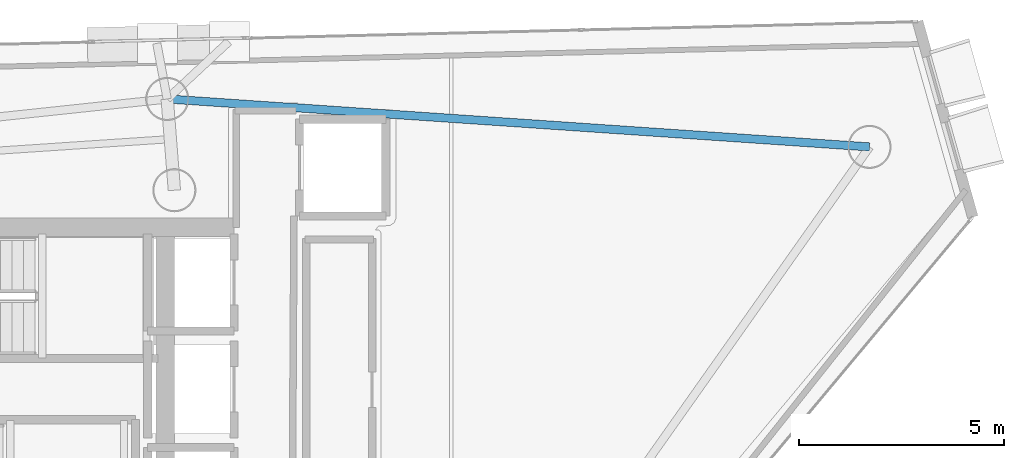
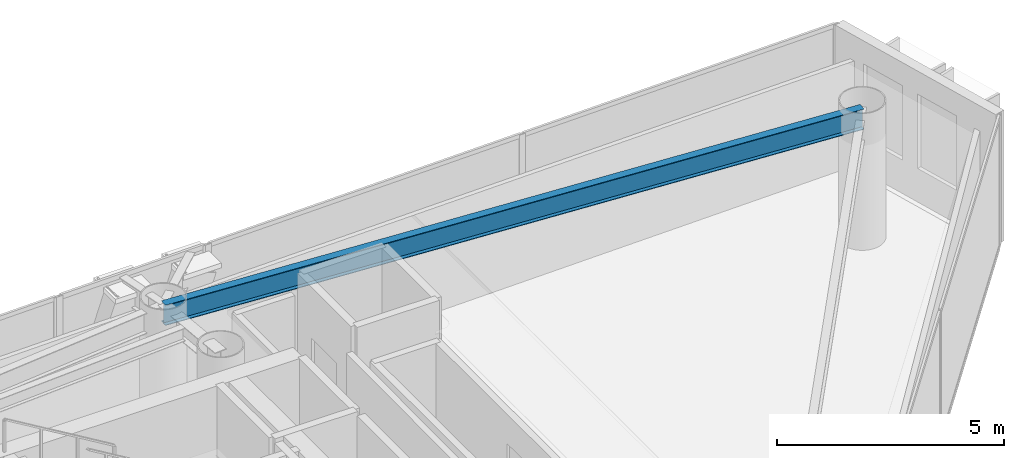
# One storey, part 12 of 20: 1 beam.
"""IFC4 building model written with IfcOpenShell, lengths in metres."""

import ifcopenshell
import ifcopenshell.guid

model = None  # the IFC model being written
_history = None  # IfcOwnerHistory: only IFC2X3 demands one
_inside = {}  # id of a spatial element -> (the spatial element, [elements in it])
_under = {}  # id of a project, library or spatial element -> (it, [spatial elements below it])
_declared = {}  # id of a project -> (the project, [libraries it declares])
_typed = {}  # id of a type object -> (the type object, [elements of that type])
_made_of = {}  # id of a material, layer set ... -> (it, [elements and type objects made of it])


def new_model(schema):
    """Start an empty IFC model of exactly this schema.

    Asked for "IFC4X3", IfcOpenShell would pick the latest addendum, in which some entities
    have other attributes; the version numbers below select the first issue.
    IFC2X3 requires an IfcOwnerHistory on every rooted entity: one is made here for all.
    """
    global model, _history
    if schema == "IFC4X3":
        model = ifcopenshell.file(schema_version=(4, 3, 0, 0))
    else:
        model = ifcopenshell.file(schema=schema)
    _inside.clear()
    _under.clear()
    _declared.clear()
    _typed.clear()
    _made_of.clear()
    _history = None
    if model.schema == "IFC2X3":
        org = make("IfcOrganization", Name="unknown")
        user = make(
            "IfcPersonAndOrganization",
            ThePerson=make("IfcPerson", FamilyName="unknown"),
            TheOrganization=org,
        )
        app = make(
            "IfcApplication",
            ApplicationDeveloper=org,
            Version="unknown",
            ApplicationFullName="unknown",
            ApplicationIdentifier="unknown",
        )
        _history = make(
            "IfcOwnerHistory",
            OwningUser=user,
            OwningApplication=app,
            ChangeAction="ADDED",
            CreationDate=0,
        )
    return model


def make(cls, **values):
    """One entity of the class cls with the attributes given. An attribute that is None is left unset."""
    return model.create_entity(
        cls, **{name: value for name, value in values.items() if value is not None}
    )


def rooted(cls, **values):
    """An entity with a GlobalId (a new one), such as an element, a storey or a relation."""
    return make(cls, GlobalId=ifcopenshell.guid.new(), OwnerHistory=_history, **values)


def si_unit(unit_type, name, prefix=None):
    """IfcSIUnit, for example si_unit("LENGTHUNIT", "METRE", prefix="MILLI")."""
    return make("IfcSIUnit", UnitType=unit_type, Prefix=prefix, Name=name)


def assignment(units):
    """IfcUnitAssignment: the units of a project."""
    return None if units is None else make("IfcUnitAssignment", Units=units)


def point(xyz):
    """IfcCartesianPoint."""
    return None if xyz is None else make("IfcCartesianPoint", Coordinates=xyz)


def direction(xyz):
    """IfcDirection."""
    return None if xyz is None else make("IfcDirection", DirectionRatios=xyz)


def frame(location, z_axis=None, x_axis=None):
    """IfcAxis2Placement3D, a coordinate frame: its origin and axes. An axis left out is left unset."""
    return make(
        "IfcAxis2Placement3D",
        Location=point(location),
        Axis=direction(z_axis),
        RefDirection=direction(x_axis),
    )


def frame_2d(location, x_axis=None):
    """IfcAxis2Placement2D, a coordinate frame in the plane: its origin and x axis."""
    return make(
        "IfcAxis2Placement2D", Location=point(location), RefDirection=direction(x_axis)
    )


def origin():
    """The frame at (0, 0, 0) with its axes left unset."""
    return frame((0.0, 0.0, 0.0))


def origin_2d():
    """The frame at (0, 0) in the plane with its x axis left unset."""
    return frame_2d((0.0, 0.0))


def place(relative_to, where):
    """IfcLocalPlacement: puts the frame where relative to a parent placement (None: the world)."""
    return make(
        "IfcLocalPlacement", PlacementRelTo=relative_to, RelativePlacement=where
    )


def context(
    kind, dimensions, precision=None, world=None, true_north=None, identifier=None
):
    """IfcGeometricRepresentationContext, for example the 3D "Model" context."""
    return make(
        "IfcGeometricRepresentationContext",
        ContextIdentifier=identifier,
        ContextType=kind,
        CoordinateSpaceDimension=dimensions,
        Precision=precision,
        WorldCoordinateSystem=world,
        TrueNorth=true_north,
    )


def subcontext(parent, identifier, kind, view, scale=None):
    """IfcGeometricRepresentationSubContext, for example "Body" below "Model"."""
    return make(
        "IfcGeometricRepresentationSubContext",
        ContextIdentifier=identifier,
        ContextType=kind,
        ParentContext=parent,
        TargetScale=scale,
        TargetView=view,
    )


def project(units=None, contexts=None):
    """IfcProject with its units and contexts."""
    return rooted(
        "IfcProject",
        Name="project",
        RepresentationContexts=contexts,
        UnitsInContext=assignment(units),
    )


def spatial(cls, under=None, at=None, **own):
    """A site, building, storey or space (cls), placed at a placement, below another one or the project."""
    s = rooted(cls, ObjectPlacement=at, **own)
    if under is not None:
        _under.setdefault(under.id(), (under, []))[1].append(s)
    return s


def profile(cls, at=None, kind="AREA", **sizes):
    """A parametric profile (cls). Its sizes go by their IFC names, for example OverallWidth=200.0."""
    return make(cls, ProfileType=kind, Position=at, **sizes)


def i_section(**sizes):
    """IfcIShapeProfileDef."""
    return profile("IfcIShapeProfileDef", **sizes)


def extrude(swept, where, along, depth):
    """IfcExtrudedAreaSolid: the profile swept, set in the frame where, extruded along a direction by depth."""
    return make(
        "IfcExtrudedAreaSolid",
        SweptArea=swept,
        Position=where,
        ExtrudedDirection=direction(along),
        Depth=depth,
    )


def shape(context_of_items, identifier, shape_type, items):
    """IfcShapeRepresentation: the items that make up one representation, for example the "Body"."""
    return make(
        "IfcShapeRepresentation",
        ContextOfItems=context_of_items,
        RepresentationIdentifier=identifier,
        RepresentationType=shape_type,
        Items=items,
    )


def material(Name=None, Category=None):
    """IfcMaterial."""
    return make("IfcMaterial", Name=Name, Category=Category)


def material_profile(
    of_material, cross_section, Name=None, Category=None, Priority=None
):
    """IfcMaterialProfile: a cross section and its material."""
    return make(
        "IfcMaterialProfile",
        Name=Name,
        Material=of_material,
        Profile=cross_section,
        Priority=Priority,
        Category=Category,
    )


def profile_set(profiles, Name=None, composite=None):
    """IfcMaterialProfileSet."""
    return make(
        "IfcMaterialProfileSet",
        Name=Name,
        MaterialProfiles=profiles,
        CompositeProfile=composite,
    )


def made_of(thing, what):
    """Note that an element or type object is made of a material, layer set ...; save() writes the relation."""
    if what is not None:
        _made_of.setdefault(what.id(), (what, []))[1].append(thing)
    return thing


def type_object(cls, material=None, **own):
    """A type object (cls), such as IfcWallType, which elements share."""
    return made_of(rooted(cls, **own), material)


def element(
    cls,
    number,
    at=None,
    inside=None,
    cuts=None,
    type_object=None,
    material=None,
    context=None,
    identifier="Body",
    shape_type=None,
    held_by="IfcProductDefinitionShape",
    body=None,
    shapes=None,
    **own,
):
    """One element of the class cls, such as IfcWall. Its Tag is "e" and its number.

    at: its placement. inside: the storey or other place that contains it. cuts: it is an
    opening in that element (IfcRelVoidsElement). A single representation is given by context,
    identifier, shape_type and body (its items); several are given by shapes. held_by: the class
    of the entity that holds the representations. save() writes the other relations.
    """
    e = rooted(cls, Tag="e%d" % number, ObjectPlacement=at, **own)
    if body is not None:
        shapes = [shape(context, identifier, shape_type, body)]
    if shapes is not None:
        e.Representation = make(held_by, Representations=shapes)
    if inside is not None:
        _inside.setdefault(inside.id(), (inside, []))[1].append(e)
    if cuts is not None:
        rooted(
            "IfcRelVoidsElement", RelatingBuildingElement=cuts, RelatedOpeningElement=e
        )
    if type_object is not None:
        _typed.setdefault(type_object.id(), (type_object, []))[1].append(e)
    return made_of(e, material)


def aggregate(whole, parts):
    """IfcRelAggregates: a whole, such as a stair, and the parts it consists of."""
    return rooted("IfcRelAggregates", RelatingObject=whole, RelatedObjects=parts)


def save(model, path):
    """Write the relations noted so far, then the file.

    IfcRelAggregates (storeys below a building ...), IfcRelContainedInSpatialStructure (elements
    in a storey), IfcRelDefinesByType, IfcRelAssociatesMaterial and IfcRelDeclares: one each for
    every whole, place, type object, material and project.
    """
    for whole, parts in _under.values():
        aggregate(whole, parts)
    for where, things in _inside.values():
        rooted(
            "IfcRelContainedInSpatialStructure",
            RelatedElements=things,
            RelatingStructure=where,
        )
    for kind, things in _typed.values():
        rooted("IfcRelDefinesByType", RelatedObjects=things, RelatingType=kind)
    for what, things in _made_of.values():
        rooted("IfcRelAssociatesMaterial", RelatedObjects=things, RelatingMaterial=what)
    for by, libraries in _declared.values():
        rooted("IfcRelDeclares", RelatingContext=by, RelatedDefinitions=libraries)
    model.write(path)


model = new_model("IFC4")

# Units and contexts
model_context = context("Model", 3, precision=1e-05, world=origin(), true_north=direction((0.0, 1.0)))
body_context = subcontext(model_context, "Body", "Model", "MODEL_VIEW")
ifc_project = project(units=[si_unit("LENGTHUNIT", "METRE"), si_unit("AREAUNIT", "SQUARE_METRE"), si_unit("VOLUMEUNIT", "CUBIC_METRE"), si_unit("PLANEANGLEUNIT", "RADIAN"), si_unit("MASSUNIT", "GRAM", prefix="KILO")], contexts=[model_context])

# Site, building, storey
site_placement = place(None, origin())
site = spatial("IfcSite", under=ifc_project, at=site_placement, CompositionType="ELEMENT")
building_placement = place(site_placement, origin())
building = spatial("IfcBuilding", under=site, at=building_placement, Name="Qianvela Tower", CompositionType="ELEMENT")
storey_placement = place(building_placement, frame((0.0, 0.0, 257.5)))
storey = spatial("IfcBuildingStorey", under=building, at=storey_placement, Name="L66", CompositionType="ELEMENT", Elevation=257.5)

# Beam
ifc_material = material(Name="Steel Q355B", Category="steel")
ifc_material_profile = material_profile(ifc_material, i_section(OverallWidth=0.199951171875, OverallDepth=0.550048828125, WebThickness=0.010009765625, FlangeThickness=0.01611328125, at=origin_2d()), Name="HN550x200x10x16")
ifc_profile_set = profile_set([ifc_material_profile], Name="Steel Q355B")
beam_type = type_object("IfcBeamType", Name="BM-HN550-GIRD", PredefinedType="BEAM", material=ifc_profile_set)
beam_placement = place(storey_placement, frame((55.33203125, 34.60498046875, 3.242919921875), z_axis=(-0.997677407473, 0.068116008525, 0.0), x_axis=(-0.068116008525, -0.997677407473, 0.0)))
element("IfcBeam", 1, at=beam_placement, inside=storey, type_object=beam_type, Name="L66 Perimeter Ring Spandrel Girder 1", PredefinedType="BEAM", context=body_context, shape_type="SweptSolid", body=[
    extrude(i_section(OverallWidth=0.199951171875, OverallDepth=0.550048828125, WebThickness=0.010009765625, FlangeThickness=0.01611328125, at=origin_2d()), origin(), (0.0, 0.0, 1.0), 17.146728515625),
])

save(model, "model.ifc")
